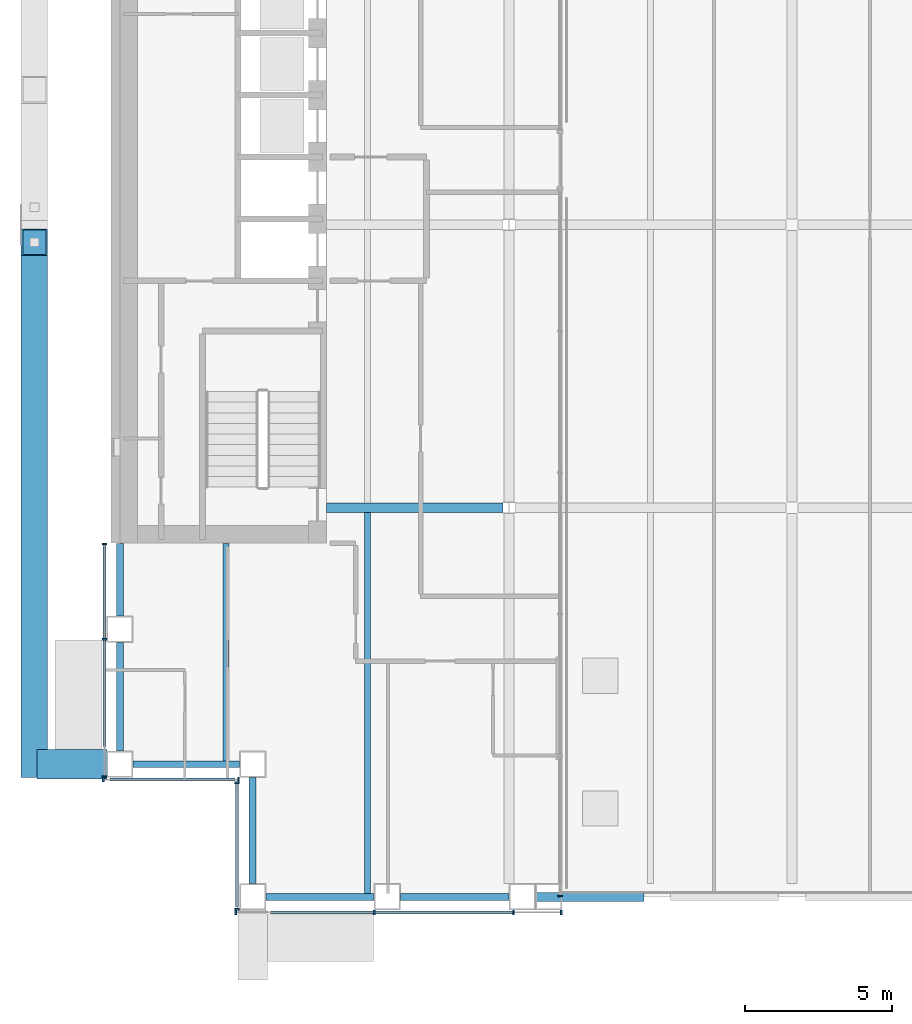
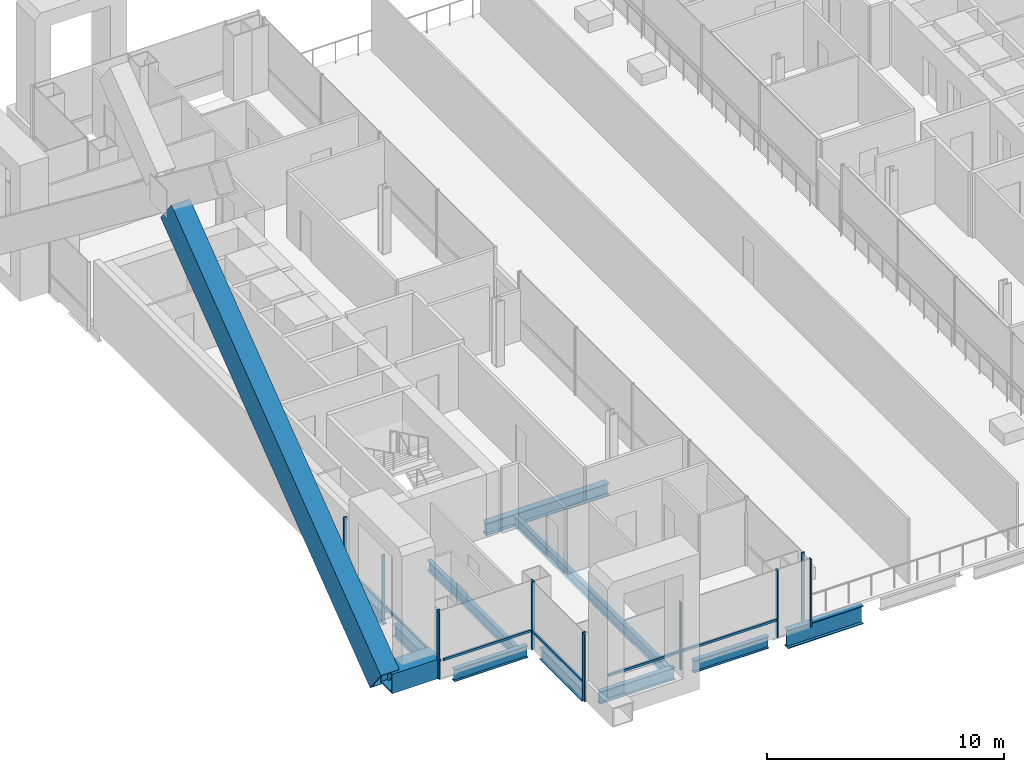
# One storey, part 2 of 20: 19 members, 11 beams, 5 elements without a shape of their own.
"""IFC4 building model written with IfcOpenShell, lengths in metres."""

from ifc_helpers import new_model, si_unit, direction, frame, origin, origin_2d, place, context, subcontext, project, spatial, rectangle, hollow_rectangle, i_section, extrude, material, material_profile, profile_set, type_object, element, aggregate, save


model = new_model("IFC4")

# Units and contexts
model_context = context("Model", 3, precision=1e-05, world=origin(), true_north=direction((0.0, 1.0)))
body_context = subcontext(model_context, "Body", "Model", "MODEL_VIEW")
ifc_project = project(units=[si_unit("LENGTHUNIT", "METRE"), si_unit("AREAUNIT", "SQUARE_METRE"), si_unit("VOLUMEUNIT", "CUBIC_METRE"), si_unit("PLANEANGLEUNIT", "RADIAN"), si_unit("MASSUNIT", "GRAM", prefix="KILO")], contexts=[model_context])

# Site, building, storey
site_placement = place(None, origin())
site = spatial("IfcSite", under=ifc_project, at=site_placement, CompositionType="ELEMENT")
building_placement = place(site_placement, origin())
building = spatial("IfcBuilding", under=site, at=building_placement, Name="Cobrizo Arcos Hotel Tower", CompositionType="ELEMENT")
storey_placement = place(building_placement, frame((0.0, 0.0, 117.0)))
storey = spatial("IfcBuildingStorey", under=building, at=storey_placement, Name="L29", CompositionType="ELEMENT", Elevation=117.0)

# Beam
ifc_material_1 = material(Name="Steel ASTM A572 Grade 50", Category="steel")
ifc_material_profile_1 = material_profile(ifc_material_1, hollow_rectangle(XDim=1.0, YDim=1.0, WallThickness=0.06005859375, at=origin_2d()), Name="BOX 1000X1000X60")
ifc_profile_set_1 = profile_set([ifc_material_profile_1], Name="Steel ASTM A572 Grade 50")
beam_type_1 = type_object("IfcBeamType", Name="BOX 1000X1000X60 brace connector strut", PredefinedType="BEAM", material=ifc_profile_set_1)
beam_1_placement = place(storey_placement, frame((-23.239990234375, -18.300048828125, 0.5), z_axis=(-1.0, 0.0, 0.0), x_axis=(0.0, -1.0, 0.0)))
element("IfcBeam", 1, at=beam_1_placement, inside=storey, type_object=beam_type_1, Name="Perimeter brace stub BS1, zone Z2, west face, offset -18.30 m, L29", PredefinedType="BEAM", context=body_context, shape_type="SweptSolid", body=[
    extrude(hollow_rectangle(XDim=1.0, YDim=1.0, WallThickness=0.06005859375, at=origin_2d()), origin(), (0.0, 0.0, 1.0), 2.380126953125),
])

# Member
ifc_material_profile_2 = material_profile(ifc_material_1, hollow_rectangle(XDim=0.89990234375, YDim=1.5, WallThickness=0.06494140625, at=origin_2d()), Name="BOX 900X1500X65")
ifc_profile_set_2 = profile_set([ifc_material_profile_2], Name="Steel ASTM A572 Grade 50")
member_type_1 = type_object("IfcMemberType", Name="BOX 900X1500X65 perimeter brace", PredefinedType="BRACE", material=ifc_profile_set_2)
member_1_placement = place(storey_placement, frame((-25.699951171875, -18.300048828125, 0.5), z_axis=(0.0, 0.79423534856, 0.607610246044), x_axis=(-1.0, 0.0, 0.0)))
element("IfcMember", 2, at=member_1_placement, inside=storey, type_object=member_type_1, Name="Perimeter brace PBR2, zone Z2, west face, no. 05", PredefinedType="BRACE", context=body_context, shape_type="SweptSolid", body=[
    extrude(hollow_rectangle(XDim=0.89990234375, YDim=1.5, WallThickness=0.06494140625, at=origin_2d()), origin(), (0.0, 0.0, 1.0), 22.294189453125),
])

# Curtain wall, members
ifc_material_2 = material(Name="Aluminium 6063-T6 anodised bronze", Category="aluminium")
curtain_wall_type_1 = type_object("IfcCurtainWallType", Name="CW-A guest facade", PredefinedType="NOTDEFINED", material=ifc_material_2)
curtain_wall_1_placement = place(storey_placement, origin())
curtain_wall_1 = element("IfcCurtainWall", 3, at=curtain_wall_1_placement, inside=storey, type_object=curtain_wall_type_1, Name="CW-A L29 S face", PredefinedType="NOTDEFINED")
ifc_material_profile_3 = material_profile(ifc_material_2, rectangle(XDim=0.14990234375, YDim=0.06005859375, at=origin_2d()), Name="CW-A mullion 150x60")
ifc_profile_set_3 = profile_set([ifc_material_profile_3], Name="Aluminium 6063-T6 anodised bronze")
member_type_2 = type_object("IfcMemberType", Name="CW-A mullion 150x60", PredefinedType="MULLION", material=ifc_profile_set_3)
member_2_placement = place(storey_placement, frame((-18.8701171875, -23.324951171875, 0.0), z_axis=(0.0, 0.0, 1.0), x_axis=(0.0, -1.0, 0.0)))
member_2 = element("IfcMember", 4, at=member_2_placement, type_object=member_type_2, Name="CW-A mullion 1", PredefinedType="MULLION", context=body_context, shape_type="SweptSolid", body=[
    extrude(rectangle(XDim=0.14990234375, YDim=0.06005859375, at=origin_2d()), origin(), (0.0, 0.0, 1.0), 3.5),
])
member_3_placement = place(storey_placement, frame((-14.175048828125, -23.324951171875, 0.0), z_axis=(0.0, 0.0, 1.0), x_axis=(0.0, -1.0, 0.0)))
member_3 = element("IfcMember", 5, at=member_3_placement, type_object=member_type_2, Name="CW-A mullion 2", PredefinedType="MULLION", context=body_context, shape_type="SweptSolid", body=[
    extrude(rectangle(XDim=0.14990234375, YDim=0.06005859375, at=origin_2d()), origin(), (0.0, 0.0, 1.0), 3.5),
])
member_4_placement = place(storey_placement, frame((-9.449951171875, -23.324951171875, 0.0), z_axis=(0.0, 0.0, 1.0), x_axis=(0.0, -1.0, 0.0)))
member_4 = element("IfcMember", 6, at=member_4_placement, type_object=member_type_2, Name="CW-A mullion 3", PredefinedType="MULLION", context=body_context, shape_type="SweptSolid", body=[
    extrude(rectangle(XDim=0.14990234375, YDim=0.06005859375, at=origin_2d()), origin(), (0.0, 0.0, 1.0), 3.5),
])
member_5_placement = place(storey_placement, frame((-7.830078125, -23.324951171875, 0.0), z_axis=(0.0, 0.0, 1.0), x_axis=(0.0, -1.0, 0.0)))
member_5 = element("IfcMember", 7, at=member_5_placement, type_object=member_type_2, Name="CW-A mullion 4", PredefinedType="MULLION", context=body_context, shape_type="SweptSolid", body=[
    extrude(rectangle(XDim=0.14990234375, YDim=0.06005859375, at=origin_2d()), origin(), (0.0, 0.0, 1.0), 3.5),
])

curtain_wall_2_placement = place(storey_placement, origin())
curtain_wall_2 = element("IfcCurtainWall", 8, at=curtain_wall_2_placement, inside=storey, type_object=curtain_wall_type_1, Name="CW-A L29 W face", PredefinedType="NOTDEFINED")
member_6_placement = place(storey_placement, frame((-23.324951171875, -10.830078125, 0.0), z_axis=(0.0, 0.0, 1.0), x_axis=(-1.0, 0.0, 0.0)))
member_6 = element("IfcMember", 9, at=member_6_placement, type_object=member_type_2, Name="CW-A mullion 1", PredefinedType="MULLION", context=body_context, shape_type="SweptSolid", body=[
    extrude(rectangle(XDim=0.14990234375, YDim=0.06005859375, at=origin_2d()), origin(), (0.0, 0.0, 1.0), 3.5),
])
member_7_placement = place(storey_placement, frame((-23.324951171875, -14.0625, 0.0), z_axis=(0.0, 0.0, 1.0), x_axis=(-1.0, 0.0, 0.0)))
member_7 = element("IfcMember", 10, at=member_7_placement, type_object=member_type_2, Name="CW-A mullion 2", PredefinedType="MULLION", context=body_context, shape_type="SweptSolid", body=[
    extrude(rectangle(XDim=0.14990234375, YDim=0.06005859375, at=origin_2d()), origin(), (0.0, 0.0, 1.0), 3.5),
])
member_8_placement = place(storey_placement, frame((-23.324951171875, -18.719970703125, 0.0), z_axis=(0.0, 0.0, 1.0), x_axis=(-1.0, 0.0, 0.0)))
member_8 = element("IfcMember", 11, at=member_8_placement, type_object=member_type_2, Name="CW-A mullion 3", PredefinedType="MULLION", context=body_context, shape_type="SweptSolid", body=[
    extrude(rectangle(XDim=0.14990234375, YDim=0.06005859375, at=origin_2d()), origin(), (0.0, 0.0, 1.0), 3.5),
])

curtain_wall_3_placement = place(storey_placement, origin())
curtain_wall_3 = element("IfcCurtainWall", 12, at=curtain_wall_3_placement, inside=storey, type_object=curtain_wall_type_1, Name="CW-A L29 S face", PredefinedType="NOTDEFINED")
member_9_placement = place(storey_placement, frame((-23.3701171875, -18.824951171875, 0.0), z_axis=(0.0, 0.0, 1.0), x_axis=(0.0, -1.0, 0.0)))
member_9 = element("IfcMember", 13, at=member_9_placement, type_object=member_type_2, Name="CW-A mullion 1", PredefinedType="MULLION", context=body_context, shape_type="SweptSolid", body=[
    extrude(rectangle(XDim=0.14990234375, YDim=0.06005859375, at=origin_2d()), origin(), (0.0, 0.0, 1.0), 3.5),
])
member_10_placement = place(storey_placement, frame((-18.780029296875, -18.824951171875, 0.0), z_axis=(0.0, 0.0, 1.0), x_axis=(0.0, -1.0, 0.0)))
member_10 = element("IfcMember", 14, at=member_10_placement, type_object=member_type_2, Name="CW-A mullion 2", PredefinedType="MULLION", context=body_context, shape_type="SweptSolid", body=[
    extrude(rectangle(XDim=0.14990234375, YDim=0.06005859375, at=origin_2d()), origin(), (0.0, 0.0, 1.0), 3.5),
])

curtain_wall_4_placement = place(storey_placement, origin())
curtain_wall_4 = element("IfcCurtainWall", 15, at=curtain_wall_4_placement, inside=storey, type_object=curtain_wall_type_1, Name="CW-A L29 W face", PredefinedType="NOTDEFINED")
member_11_placement = place(storey_placement, frame((-18.824951171875, -18.929931640625, 0.0), z_axis=(0.0, 0.0, 1.0), x_axis=(-1.0, 0.0, 0.0)))
member_11 = element("IfcMember", 16, at=member_11_placement, type_object=member_type_2, Name="CW-A mullion 1", PredefinedType="MULLION", context=body_context, shape_type="SweptSolid", body=[
    extrude(rectangle(XDim=0.14990234375, YDim=0.06005859375, at=origin_2d()), origin(), (0.0, 0.0, 1.0), 3.5),
])
member_12_placement = place(storey_placement, frame((-18.824951171875, -23.219970703125, 0.0), z_axis=(0.0, 0.0, 1.0), x_axis=(-1.0, 0.0, 0.0)))
member_12 = element("IfcMember", 17, at=member_12_placement, type_object=member_type_2, Name="CW-A mullion 2", PredefinedType="MULLION", context=body_context, shape_type="SweptSolid", body=[
    extrude(rectangle(XDim=0.14990234375, YDim=0.06005859375, at=origin_2d()), origin(), (0.0, 0.0, 1.0), 3.5),
])

# Member
ifc_material_profile_4 = material_profile(ifc_material_2, rectangle(XDim=0.10009765625, YDim=0.1201171875, at=origin_2d()), Name="CW-A transom 120x100")
ifc_profile_set_4 = profile_set([ifc_material_profile_4], Name="Aluminium 6063-T6 anodised bronze")
member_type_3 = type_object("IfcMemberType", Name="CW-A transom 120x100", PredefinedType="USERDEFINED", material=ifc_profile_set_4)
member_13_placement = place(storey_placement, frame((-17.699951171875, -23.324951171875, 0.929931640625), z_axis=(1.0, 0.0, 0.0), x_axis=(0.0, 1.0, 0.0)))
member_13 = element("IfcMember", 18, at=member_13_placement, type_object=member_type_3, Name="CW-A transom 1107", ObjectType="TRANSOM", PredefinedType="USERDEFINED", context=body_context, shape_type="SweptSolid", body=[
    extrude(rectangle(XDim=0.10009765625, YDim=0.1201171875, at=origin_2d()), origin(), (0.0, 0.0, 1.0), 3.494873046875),
])

member_14_placement = place(storey_placement, frame((-14.14501953125, -23.324951171875, 0.929931640625), z_axis=(1.0, 0.0, 0.0), x_axis=(0.0, 1.0, 0.0)))
member_14 = element("IfcMember", 19, at=member_14_placement, type_object=member_type_3, Name="CW-A transom 1108", ObjectType="TRANSOM", PredefinedType="USERDEFINED", context=body_context, shape_type="SweptSolid", body=[
    extrude(rectangle(XDim=0.10009765625, YDim=0.1201171875, at=origin_2d()), origin(), (0.0, 0.0, 1.0), 4.6650390625),
])

aggregate(curtain_wall_1, [member_2, member_3, member_4, member_5, member_13, member_14])

member_15_placement = place(storey_placement, frame((-23.324951171875, -10.860107421875, 0.929931640625), z_axis=(0.0, -1.0, 0.0), x_axis=(1.0, 0.0, 0.0)))
member_15 = element("IfcMember", 20, at=member_15_placement, type_object=member_type_3, Name="CW-A transom 1131", ObjectType="TRANSOM", PredefinedType="USERDEFINED", context=body_context, shape_type="SweptSolid", body=[
    extrude(rectangle(XDim=0.10009765625, YDim=0.1201171875, at=origin_2d()), origin(), (0.0, 0.0, 1.0), 3.17236328125),
])

member_16_placement = place(storey_placement, frame((-23.324951171875, -14.092529296875, 0.929931640625), z_axis=(0.0, -1.0, 0.0), x_axis=(1.0, 0.0, 0.0)))
member_16 = element("IfcMember", 21, at=member_16_placement, type_object=member_type_3, Name="CW-A transom 1132", ObjectType="TRANSOM", PredefinedType="USERDEFINED", context=body_context, shape_type="SweptSolid", body=[
    extrude(rectangle(XDim=0.10009765625, YDim=0.1201171875, at=origin_2d()), origin(), (0.0, 0.0, 1.0), 3.607421875),
])

aggregate(curtain_wall_2, [member_6, member_7, member_8, member_15, member_16])

member_17_placement = place(storey_placement, frame((-23.139892578125, -18.824951171875, 0.929931640625), z_axis=(1.0, 0.0, 0.0), x_axis=(0.0, 1.0, 0.0)))
member_17 = element("IfcMember", 22, at=member_17_placement, type_object=member_type_3, Name="CW-A transom 1133", ObjectType="TRANSOM", PredefinedType="USERDEFINED", context=body_context, shape_type="SweptSolid", body=[
    extrude(rectangle(XDim=0.10009765625, YDim=0.1201171875, at=origin_2d()), origin(), (0.0, 0.0, 1.0), 4.239990234375),
])

aggregate(curtain_wall_3, [member_9, member_10, member_17])

member_18_placement = place(storey_placement, frame((-18.824951171875, -18.9599609375, 0.929931640625), z_axis=(0.0, -1.0, 0.0), x_axis=(1.0, 0.0, 0.0)))
member_18 = element("IfcMember", 23, at=member_18_placement, type_object=member_type_3, Name="CW-A transom 1134", ObjectType="TRANSOM", PredefinedType="USERDEFINED", context=body_context, shape_type="SweptSolid", body=[
    extrude(rectangle(XDim=0.10009765625, YDim=0.1201171875, at=origin_2d()), origin(), (0.0, 0.0, 1.0), 4.179931640625),
])

aggregate(curtain_wall_4, [member_11, member_12, member_18])

# Curtain wall, member
curtain_wall_type_2 = type_object("IfcCurtainWallType", Name="CW-F void screen", PredefinedType="NOTDEFINED", material=ifc_material_2)
curtain_wall_5_placement = place(storey_placement, origin())
curtain_wall_5 = element("IfcCurtainWall", 24, at=curtain_wall_5_placement, inside=storey, type_object=curtain_wall_type_2, Name="CW-F L29 void screen B", PredefinedType="NOTDEFINED")
ifc_material_profile_5 = material_profile(ifc_material_2, rectangle(XDim=0.14990234375, YDim=0.06005859375, at=origin_2d()), Name="CW-F mullion 150x60")
ifc_profile_set_5 = profile_set([ifc_material_profile_5], Name="Aluminium 6063-T6 anodised bronze")
member_type_4 = type_object("IfcMemberType", Name="CW-F mullion 150x60", PredefinedType="MULLION", material=ifc_profile_set_5)
member_19_placement = place(storey_placement, frame((-7.875, -22.77001953125, 0.0), z_axis=(0.0, 0.0, 1.0), x_axis=(-1.0, 0.0, 0.0)))
member_19 = element("IfcMember", 25, at=member_19_placement, type_object=member_type_4, Name="CW-F mullion 6", PredefinedType="MULLION", context=body_context, shape_type="SweptSolid", body=[
    extrude(rectangle(XDim=0.14990234375, YDim=0.06005859375, at=origin_2d()), origin(), (0.0, 0.0, 1.0), 3.5),
])
aggregate(curtain_wall_5, [member_19])

# Beams
ifc_material_3 = material(Name="Steel ASTM A992 Grade 50", Category="steel")
ifc_material_profile_6 = material_profile(ifc_material_3, i_section(OverallWidth=0.209228515625, OverallDepth=0.533447265625, WebThickness=0.01025390625, FlangeThickness=0.015625, at=origin_2d()), Name="W21X62")
ifc_profile_set_6 = profile_set([ifc_material_profile_6], Name="Steel ASTM A992 Grade 50")
beam_type_2 = type_object("IfcBeamType", Name="W21X62 joist", PredefinedType="JOIST", material=ifc_profile_set_6)
beam_2_placement = place(storey_placement, frame((-19.199951171875, -18.2099609375, -0.416748046875), z_axis=(0.0, 1.0, 0.0), x_axis=(-1.0, 0.0, 0.0)))
element("IfcBeam", 26, at=beam_2_placement, inside=storey, type_object=beam_type_2, Name="Floor joist J1, L29, no. 001", PredefinedType="JOIST", context=body_context, shape_type="SweptSolid", body=[
    extrude(i_section(OverallWidth=0.209228515625, OverallDepth=0.533447265625, WebThickness=0.01025390625, FlangeThickness=0.015625, at=origin_2d()), origin(), (0.0, 0.0, 1.0), 7.39990234375),
])
beam_3_placement = place(storey_placement, frame((-14.39990234375, -22.7099609375, -0.416748046875), z_axis=(0.0, 1.0, 0.0), x_axis=(-1.0, 0.0, 0.0)))
element("IfcBeam", 27, at=beam_3_placement, inside=storey, type_object=beam_type_2, Name="Floor joist J1, L29, no. 003", PredefinedType="JOIST", context=body_context, shape_type="SweptSolid", body=[
    extrude(i_section(OverallWidth=0.209228515625, OverallDepth=0.533447265625, WebThickness=0.01025390625, FlangeThickness=0.015625, at=origin_2d()), origin(), (0.0, 0.0, 1.0), 12.946044921875),
])
ifc_material_profile_7 = material_profile(ifc_material_3, i_section(OverallWidth=0.32763671875, OverallDepth=0.622314453125, WebThickness=0.015380859375, FlangeThickness=0.0244140625, at=origin_2d()), Name="W24X131")
ifc_profile_set_7 = profile_set([ifc_material_profile_7], Name="Steel ASTM A992 Grade 50")
beam_type_3 = type_object("IfcBeamType", Name="W24X131 girder", PredefinedType="BEAM", material=ifc_profile_set_7)
beam_4_placement = place(storey_placement, frame((-15.7900390625, -9.60009765625, -0.461181640625), z_axis=(1.0, 0.0, 0.0), x_axis=(0.0, 1.0, 0.0)))
element("IfcBeam", 28, at=beam_4_placement, inside=storey, type_object=beam_type_3, Name="Floor girder G1, L29, no. 001", PredefinedType="BEAM", context=body_context, shape_type="SweptSolid", body=[
    extrude(i_section(OverallWidth=0.32763671875, OverallDepth=0.622314453125, WebThickness=0.015380859375, FlangeThickness=0.0244140625, at=origin_2d()), origin(), (0.0, 0.0, 1.0), 5.99072265625),
])
ifc_material_profile_8 = material_profile(ifc_material_3, i_section(OverallWidth=0.23046875, OverallDepth=0.6171875, WebThickness=0.01318359375, FlangeThickness=0.022216796875, at=origin_2d()), Name="W24X94")
ifc_profile_set_8 = profile_set([ifc_material_profile_8], Name="Steel ASTM A992 Grade 50")
beam_type_4 = type_object("IfcBeamType", Name="W24X94 spandrel", PredefinedType="SPANDREL", material=ifc_profile_set_8)
beam_5_placement = place(storey_placement, frame((-17.85009765625, -22.800048828125, -0.45849609375), z_axis=(1.0, 0.0, 0.0), x_axis=(0.0, 1.0, 0.0)))
element("IfcBeam", 29, at=beam_5_placement, inside=storey, type_object=beam_type_4, Name="Spandrel beam W24X94, L29, no. 001", PredefinedType="SPANDREL", context=body_context, shape_type="SweptSolid", body=[
    extrude(i_section(OverallWidth=0.23046875, OverallDepth=0.6171875, WebThickness=0.01318359375, FlangeThickness=0.022216796875, at=origin_2d()), origin(), (0.0, 0.0, 1.0), 3.675048828125),
])
beam_6_placement = place(storey_placement, frame((-13.27490234375, -22.800048828125, -0.45849609375), z_axis=(1.0, 0.0, 0.0), x_axis=(0.0, 1.0, 0.0)))
element("IfcBeam", 30, at=beam_6_placement, inside=storey, type_object=beam_type_4, Name="Spandrel beam W24X94, L29, no. 002", PredefinedType="SPANDREL", context=body_context, shape_type="SweptSolid", body=[
    extrude(i_section(OverallWidth=0.23046875, OverallDepth=0.6171875, WebThickness=0.01318359375, FlangeThickness=0.022216796875, at=origin_2d()), origin(), (0.0, 0.0, 1.0), 3.6748046875),
])
beam_7_placement = place(storey_placement, frame((-22.800048828125, -10.81005859375, -0.45849609375), z_axis=(0.0, -1.0, 0.0), x_axis=(1.0, 0.0, 0.0)))
element("IfcBeam", 31, at=beam_7_placement, inside=storey, type_object=beam_type_4, Name="Spandrel beam W24X94, L29, no. 025", PredefinedType="SPANDREL", context=body_context, shape_type="SweptSolid", body=[
    extrude(i_section(OverallWidth=0.23046875, OverallDepth=0.6171875, WebThickness=0.01318359375, FlangeThickness=0.022216796875, at=origin_2d()), origin(), (0.0, 0.0, 1.0), 2.46484375),
])
beam_8_placement = place(storey_placement, frame((-22.800048828125, -14.175048828125, -0.45849609375), z_axis=(0.0, -1.0, 0.0), x_axis=(1.0, 0.0, 0.0)))
element("IfcBeam", 32, at=beam_8_placement, inside=storey, type_object=beam_type_4, Name="Spandrel beam W24X94, L29, no. 026", PredefinedType="SPANDREL", context=body_context, shape_type="SweptSolid", body=[
    extrude(i_section(OverallWidth=0.23046875, OverallDepth=0.6171875, WebThickness=0.01318359375, FlangeThickness=0.022216796875, at=origin_2d()), origin(), (0.0, 0.0, 1.0), 3.675048828125),
])
for number, where, z_axis, x_axis, name in (
    (33, (-22.35009765625, -18.300048828125, -0.45849609375), (1.0, 0.0, 0.0), (0.0, 1.0, 0.0), "Spandrel beam W24X94, L29, no. 027"),
    (34, (-18.300048828125, -18.75, -0.45849609375), (0.0, -1.0, 0.0), (1.0, 0.0, 0.0), "Spandrel beam W24X94, L29, no. 028"),
):
    element("IfcBeam", number, at=place(storey_placement, frame(where, z_axis=z_axis, x_axis=x_axis)), inside=storey, type_object=beam_type_4, Name=name, PredefinedType="SPANDREL", context=body_context, shape_type="SweptSolid", body=[
        extrude(i_section(OverallWidth=0.23046875, OverallDepth=0.6171875, WebThickness=0.01318359375, FlangeThickness=0.022216796875, at=origin_2d()), origin(), (0.0, 0.0, 1.0), 3.60009765625),
    ])
ifc_material_profile_9 = material_profile(ifc_material_3, i_section(OverallWidth=0.307373046875, OverallDepth=0.9423828125, WebThickness=0.022216796875, FlangeThickness=0.039794921875, at=origin_2d()), Name="W36X232")
ifc_profile_set_9 = profile_set([ifc_material_profile_9], Name="Steel ASTM A992 Grade 50")
beam_type_5 = type_object("IfcBeamType", Name="W36X232 spandrel transfer", PredefinedType="BEAM", material=ifc_profile_set_9)
beam_9_placement = place(storey_placement, frame((-8.699951171875, -22.800048828125, -0.62109375), z_axis=(1.0, 0.0, 0.0), x_axis=(0.0, 1.0, 0.0)))
element("IfcBeam", 35, at=beam_9_placement, inside=storey, type_object=beam_type_5, Name="Spandrel transfer beam ST1, L29, no. 001", PredefinedType="BEAM", context=body_context, shape_type="SweptSolid", body=[
    extrude(i_section(OverallWidth=0.307373046875, OverallDepth=0.9423828125, WebThickness=0.022216796875, FlangeThickness=0.039794921875, at=origin_2d()), origin(), (0.0, 0.0, 1.0), 3.675048828125),
])

save(model, "model.ifc")
